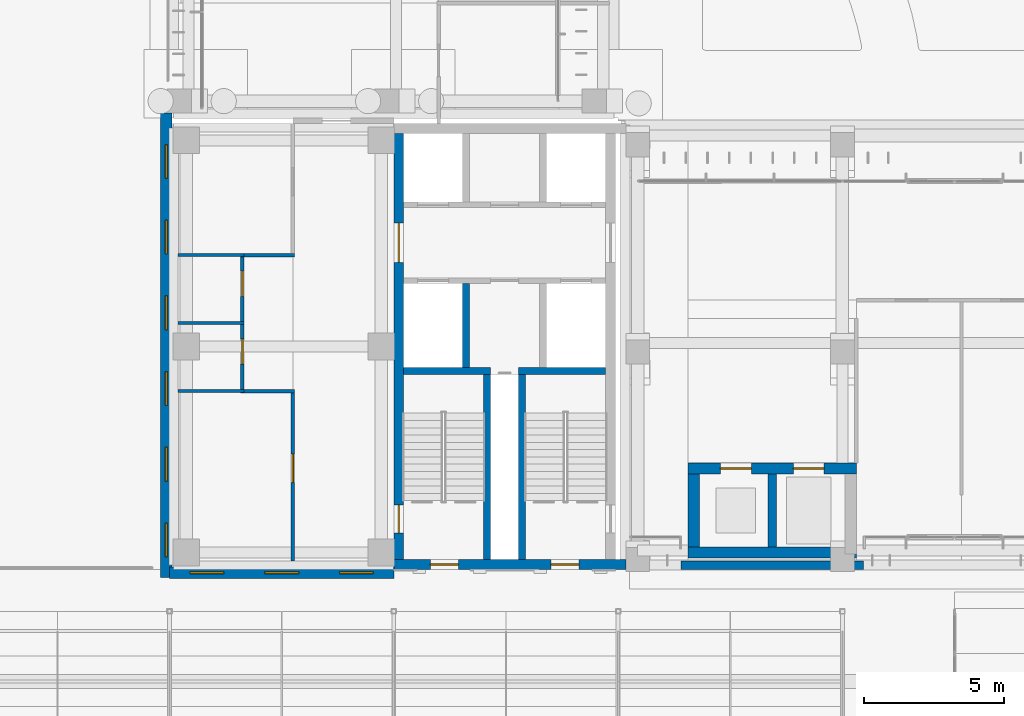
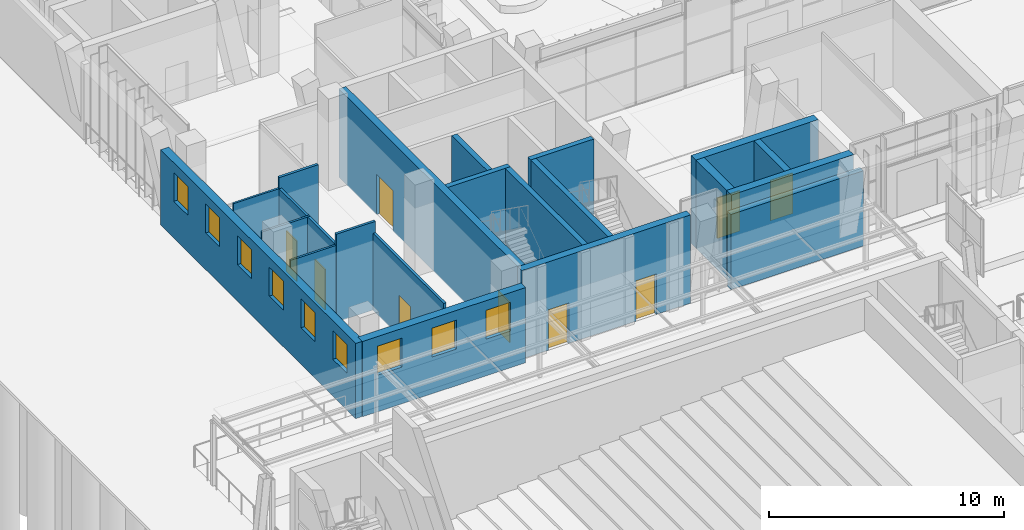
# One storey, part 103 of 144: 21 walls, 9 doors, 9 windows, 18 openings.
"""IFC4 building model written with IfcOpenShell, lengths in metres."""

from ifc_helpers import new_model, si_unit, direction, frame, frame_2d, origin, place, context, subcontext, project, spatial, rectangle, extrude, material, layer, layer_set, type_object, element, fill, save


model = new_model("IFC4")

# Units and contexts
model_context = context("Model", 3, precision=1e-05, world=origin(), true_north=direction((0.0, 1.0)))
body_context = subcontext(model_context, "Body", "Model", "MODEL_VIEW")
ifc_project = project(units=[si_unit("LENGTHUNIT", "METRE"), si_unit("AREAUNIT", "SQUARE_METRE"), si_unit("VOLUMEUNIT", "CUBIC_METRE"), si_unit("PLANEANGLEUNIT", "RADIAN"), si_unit("MASSUNIT", "GRAM", prefix="KILO")], contexts=[model_context])

# Site, building, storey
site_placement = place(None, origin())
site = spatial("IfcSite", under=ifc_project, at=site_placement, CompositionType="ELEMENT")
building_placement = place(site_placement, origin())
building = spatial("IfcBuilding", under=site, at=building_placement, Name="Lantern Court Media Centre", CompositionType="ELEMENT")
storey_placement = place(building_placement, origin())
storey = spatial("IfcBuildingStorey", under=building, at=storey_placement, Name="L00", CompositionType="ELEMENT", Elevation=0.0)

# Wall, opening, door
ifc_material_1 = material(Name="Gypsum board partition")
ifc_layer_1 = layer(ifc_material_1, 0.125)
ifc_layer_set_1 = layer_set([ifc_layer_1], Name="Gypsum board partition")
wall_type_1 = type_object("IfcWallType", Name="Corridor partition 125", PredefinedType="PARTITIONING", material=ifc_layer_set_1)
wall_1_placement = place(storey_placement, frame((12.39990234375, 48.300048828125, 0.0), z_axis=(0.0, 0.0, 1.0), x_axis=(0.0, 1.0, 0.0)))
wall_1 = element("IfcWall", 1, at=wall_1_placement, inside=storey, type_object=wall_type_1, Name="L00 partition 027", PredefinedType="PARTITIONING", context=body_context, shape_type="SweptSolid", body=[
    extrude(rectangle(XDim=5.99755859375, YDim=0.125, at=frame_2d((2.998779296875, 0.0))), origin(), (0.0, 0.0, 1.0), 3.97998046875),
])
opening_1_placement = place(wall_1_placement, frame((2.80517578125, 0.0, 0.0)))
opening_1 = element("IfcOpeningElement", 2, at=opening_1_placement, cuts=wall_1, Name="Opening L00-019", PredefinedType="OPENING", context=body_context, shape_type="SweptSolid", body=[
    extrude(rectangle(XDim=1.0, YDim=2.10009765625, at=frame_2d((0.5, 1.050048828125))), frame((0.0, 0.072509765625, 0.0), z_axis=(0.0, -1.0, 0.0), x_axis=(1.0, 0.0, 0.0)), (0.0, 0.0, 1.0), 0.14501953125),
])
ifc_material_2 = material(Name="Solid-core timber door leaf", Category="wood")
door_type_1 = type_object("IfcDoorType", Name="Single fire door 1000x2100", OperationType="NOTDEFINED", PredefinedType="DOOR", material=ifc_material_2)
door_1_placement = place(opening_1_placement, origin())
door_1 = element("IfcDoor", 3, at=door_1_placement, inside=storey, type_object=door_type_1, Name="L00 Fire Command Room door", OperationType="SINGLE_SWING_RIGHT", OverallHeight=2.10009765625, OverallWidth=1.0, PredefinedType="DOOR", context=body_context, shape_type="SweptSolid", body=[
    extrude(rectangle(XDim=1.0, YDim=2.10009765625, at=frame_2d((0.5, 1.050048828125))), frame((0.0, 0.02490234375, 0.0), z_axis=(0.0, -1.0, 0.0), x_axis=(1.0, 0.0, 0.0)), (0.0, 0.0, 1.0), 0.050048828125),
])
fill(opening_1, door_1)

# Walls
for number, where, z_axis, x_axis, name in (
    (4, (10.53759765625, 54.360107421875, 0.0), (0.0, 0.0, 1.0), (1.0, 0.0, 0.0), "L00 partition 031"),
    (5, (10.53759765625, 59.2080078125, 0.0), (0.0, 0.0, 1.0), (1.0, 0.0, 0.0), "L00 partition 033"),
):
    element("IfcWall", number, at=place(storey_placement, frame(where, z_axis=z_axis, x_axis=x_axis)), inside=storey, type_object=wall_type_1, Name=name, PredefinedType="PARTITIONING", context=body_context, shape_type="SweptSolid", body=[
        extrude(rectangle(XDim=1.9248046875, YDim=0.125, at=frame_2d((0.96240234375, 0.0))), origin(), (0.0, 0.0, 1.0), 4.56005859375),
    ])

# Wall, openings, doors
wall_2_placement = place(storey_placement, frame((10.60009765625, 54.422607421875, 0.0), z_axis=(0.0, 0.0, 1.0), x_axis=(0.0, 1.0, 0.0)))
wall_2 = element("IfcWall", 6, at=wall_2_placement, inside=storey, type_object=wall_type_1, Name="L00 partition 034", PredefinedType="PARTITIONING", context=body_context, shape_type="SweptSolid", body=[
    extrude(rectangle(XDim=4.72314453125, YDim=0.125, at=frame_2d((2.361572265625, 0.0))), origin(), (0.0, 0.0, 1.0), 3.97998046875),
])
opening_2_placement = place(wall_2_placement, frame((0.893798828125, 0.0, 0.0)))
opening_2 = element("IfcOpeningElement", 7, at=opening_2_placement, cuts=wall_2, Name="Opening L00-021", PredefinedType="OPENING", context=body_context, shape_type="SweptSolid", body=[
    extrude(rectangle(XDim=0.89990234375, YDim=2.10009765625, at=frame_2d((0.449951171875, 1.050048828125))), frame((0.0, 0.072509765625, 0.0), z_axis=(0.0, -1.0, 0.0), x_axis=(1.0, 0.0, 0.0)), (0.0, 0.0, 1.0), 0.14501953125),
])
opening_3_placement = place(wall_2_placement, frame((3.31787109375, 0.0, 0.0)))
opening_3 = element("IfcOpeningElement", 8, at=opening_3_placement, cuts=wall_2, Name="Opening L00-022", PredefinedType="OPENING", context=body_context, shape_type="SweptSolid", body=[
    extrude(rectangle(XDim=0.89990234375, YDim=2.10009765625, at=frame_2d((0.449951171875, 1.050048828125))), frame((0.0, 0.072509765625, 0.0), z_axis=(0.0, -1.0, 0.0), x_axis=(1.0, 0.0, 0.0)), (0.0, 0.0, 1.0), 0.14501953125),
])
door_type_2 = type_object("IfcDoorType", Name="Single door 900x2100", OperationType="NOTDEFINED", PredefinedType="DOOR", material=ifc_material_2)
door_2_placement = place(opening_2_placement, origin())
door_2 = element("IfcDoor", 9, at=door_2_placement, inside=storey, type_object=door_type_2, Name="L00 WC Male door", OperationType="SINGLE_SWING_RIGHT", OverallHeight=2.10009765625, OverallWidth=0.89990234375, PredefinedType="DOOR", context=body_context, shape_type="SweptSolid", body=[
    extrude(rectangle(XDim=0.89990234375, YDim=2.10009765625, at=frame_2d((0.449951171875, 1.050048828125))), frame((0.0, 0.02490234375, 0.0), z_axis=(0.0, -1.0, 0.0), x_axis=(1.0, 0.0, 0.0)), (0.0, 0.0, 1.0), 0.050048828125),
])
fill(opening_2, door_2)
door_3_placement = place(opening_3_placement, origin())
door_3 = element("IfcDoor", 10, at=door_3_placement, inside=storey, type_object=door_type_2, Name="L00 WC Female door", OperationType="SINGLE_SWING_LEFT", OverallHeight=2.10009765625, OverallWidth=0.89990234375, PredefinedType="DOOR", context=body_context, shape_type="SweptSolid", body=[
    extrude(rectangle(XDim=0.89990234375, YDim=2.10009765625, at=frame_2d((0.449951171875, 1.050048828125))), frame((0.0, 0.02490234375, 0.0), z_axis=(0.0, -1.0, 0.0), x_axis=(1.0, 0.0, 0.0)), (0.0, 0.0, 1.0), 0.050048828125),
])
fill(opening_3, door_3)

# Wall
ifc_material_3 = material(Name="Honed limestone cladding on blockwork", Category="masonry")
ifc_layer_2 = layer(ifc_material_3, 0.300048828125)
ifc_layer_set_2 = layer_set([ifc_layer_2], Name="Honed limestone cladding on blockwork")
wall_type_2 = type_object("IfcWallType", Name="Limestone flank wall 300", PredefinedType="SOLIDWALL", material=ifc_layer_set_2)
wall_3_placement = place(storey_placement, frame((26.25, 48.14990234375, 0.0), z_axis=(0.0, 0.0, 1.0), x_axis=(1.0, 0.0, 0.0)))
element("IfcWall", 11, at=wall_3_placement, inside=storey, type_object=wall_type_2, Name="Limestone flank wall S outer L00", PredefinedType="SOLIDWALL", context=body_context, shape_type="SweptSolid", body=[
    extrude(rectangle(XDim=6.5, YDim=0.300048828125, at=frame_2d((3.25, 0.0))), origin(), (0.0, 0.0, 1.0), 3.89990234375),
])

# Wall, openings, windows
ifc_layer_3 = layer(ifc_material_3, 0.39990234375)
ifc_layer_set_3 = layer_set([ifc_layer_3], Name="Honed limestone cladding on blockwork")
wall_type_3 = type_object("IfcWallType", Name="Limestone plinth wall 400", PredefinedType="SOLIDWALL", material=ifc_layer_set_3)
wall_4_placement = place(storey_placement, frame((7.8798828125, 47.699951171875, 0.0), z_axis=(0.0, 0.0, 1.0), x_axis=(0.0, 1.0, 0.0)))
wall_4 = element("IfcWall", 12, at=wall_4_placement, inside=storey, type_object=wall_type_3, Name="Limestone wall SW W L00", PredefinedType="SOLIDWALL", context=body_context, shape_type="SweptSolid", body=[
    extrude(rectangle(XDim=16.574951171875, YDim=0.39990234375, at=frame_2d((8.28759765625, 0.0))), origin(), (0.0, 0.0, 1.0), 3.89990234375),
])
opening_4_placement = place(wall_4_placement, frame((0.75, 0.0, 1.89990234375)))
opening_4 = element("IfcOpeningElement", 13, at=opening_4_placement, cuts=wall_4, Name="Opening WN-C", PredefinedType="OPENING", context=body_context, shape_type="SweptSolid", body=[
    extrude(rectangle(XDim=1.199951171875, YDim=1.5, at=frame_2d((0.60009765625, 0.75))), frame((0.0, 0.2099609375, 0.0), z_axis=(0.0, -1.0, 0.0), x_axis=(1.0, 0.0, 0.0)), (0.0, 0.0, 1.0), 0.419921875),
])
opening_5_placement = place(wall_4_placement, frame((3.449951171875, 0.0, 1.89990234375)))
opening_5 = element("IfcOpeningElement", 14, at=opening_5_placement, cuts=wall_4, Name="Opening WN-C", PredefinedType="OPENING", context=body_context, shape_type="SweptSolid", body=[
    extrude(rectangle(XDim=1.199951171875, YDim=1.5, at=frame_2d((0.60009765625, 0.75))), frame((0.0, 0.2099609375, 0.0), z_axis=(0.0, -1.0, 0.0), x_axis=(1.0, 0.0, 0.0)), (0.0, 0.0, 1.0), 0.419921875),
])
opening_6_placement = place(wall_4_placement, frame((6.14990234375, 0.0, 1.89990234375)))
opening_6 = element("IfcOpeningElement", 15, at=opening_6_placement, cuts=wall_4, Name="Opening WN-C", PredefinedType="OPENING", context=body_context, shape_type="SweptSolid", body=[
    extrude(rectangle(XDim=1.199951171875, YDim=1.5, at=frame_2d((0.60009765625, 0.75))), frame((0.0, 0.2099609375, 0.0), z_axis=(0.0, -1.0, 0.0), x_axis=(1.0, 0.0, 0.0)), (0.0, 0.0, 1.0), 0.419921875),
])
opening_7_placement = place(wall_4_placement, frame((8.85009765625, 0.0, 1.89990234375)))
opening_7 = element("IfcOpeningElement", 16, at=opening_7_placement, cuts=wall_4, Name="Opening WN-C", PredefinedType="OPENING", context=body_context, shape_type="SweptSolid", body=[
    extrude(rectangle(XDim=1.199951171875, YDim=1.5, at=frame_2d((0.60009765625, 0.75))), frame((0.0, 0.2099609375, 0.0), z_axis=(0.0, -1.0, 0.0), x_axis=(1.0, 0.0, 0.0)), (0.0, 0.0, 1.0), 0.419921875),
])
opening_8_placement = place(wall_4_placement, frame((11.550048828125, 0.0, 1.89990234375)))
opening_8 = element("IfcOpeningElement", 17, at=opening_8_placement, cuts=wall_4, Name="Opening WN-C", PredefinedType="OPENING", context=body_context, shape_type="SweptSolid", body=[
    extrude(rectangle(XDim=1.199951171875, YDim=1.5, at=frame_2d((0.60009765625, 0.75))), frame((0.0, 0.2099609375, 0.0), z_axis=(0.0, -1.0, 0.0), x_axis=(1.0, 0.0, 0.0)), (0.0, 0.0, 1.0), 0.419921875),
])
opening_9_placement = place(wall_4_placement, frame((14.25, 0.0, 1.89990234375)))
opening_9 = element("IfcOpeningElement", 18, at=opening_9_placement, cuts=wall_4, Name="Opening WN-C", PredefinedType="OPENING", context=body_context, shape_type="SweptSolid", body=[
    extrude(rectangle(XDim=1.199951171875, YDim=1.5, at=frame_2d((0.60009765625, 0.75))), frame((0.0, 0.2099609375, 0.0), z_axis=(0.0, -1.0, 0.0), x_axis=(1.0, 0.0, 0.0)), (0.0, 0.0, 1.0), 0.419921875),
])
ifc_material_4 = material(Name="Anodised aluminium and glass", Category="aluminium")
window_type = type_object("IfcWindowType", Name="Clerestory window 1200x1500", PartitioningType="SINGLE_PANEL", PredefinedType="WINDOW", material=ifc_material_4)
window_1_placement = place(opening_4_placement, origin())
window_1 = element("IfcWindow", 19, at=window_1_placement, inside=storey, type_object=window_type, Name="Window SW W L00", OverallHeight=1.5, OverallWidth=1.199951171875, PartitioningType="SINGLE_PANEL", PredefinedType="WINDOW", context=body_context, shape_type="SweptSolid", body=[
    extrude(rectangle(XDim=1.199951171875, YDim=1.5, at=frame_2d((0.60009765625, 0.75))), frame((0.0, 0.030029296875, 0.0), z_axis=(0.0, -1.0, 0.0), x_axis=(1.0, 0.0, 0.0)), (0.0, 0.0, 1.0), 0.06005859375),
])
fill(opening_4, window_1)
window_2_placement = place(opening_5_placement, origin())
window_2 = element("IfcWindow", 20, at=window_2_placement, inside=storey, type_object=window_type, Name="Window SW W L00", OverallHeight=1.5, OverallWidth=1.199951171875, PartitioningType="SINGLE_PANEL", PredefinedType="WINDOW", context=body_context, shape_type="SweptSolid", body=[
    extrude(rectangle(XDim=1.199951171875, YDim=1.5, at=frame_2d((0.60009765625, 0.75))), frame((0.0, 0.030029296875, 0.0), z_axis=(0.0, -1.0, 0.0), x_axis=(1.0, 0.0, 0.0)), (0.0, 0.0, 1.0), 0.06005859375),
])
fill(opening_5, window_2)
window_3_placement = place(opening_6_placement, origin())
window_3 = element("IfcWindow", 21, at=window_3_placement, inside=storey, type_object=window_type, Name="Window SW W L00", OverallHeight=1.5, OverallWidth=1.199951171875, PartitioningType="SINGLE_PANEL", PredefinedType="WINDOW", context=body_context, shape_type="SweptSolid", body=[
    extrude(rectangle(XDim=1.199951171875, YDim=1.5, at=frame_2d((0.60009765625, 0.75))), frame((0.0, 0.030029296875, 0.0), z_axis=(0.0, -1.0, 0.0), x_axis=(1.0, 0.0, 0.0)), (0.0, 0.0, 1.0), 0.06005859375),
])
fill(opening_6, window_3)
window_4_placement = place(opening_7_placement, origin())
window_4 = element("IfcWindow", 22, at=window_4_placement, inside=storey, type_object=window_type, Name="Window SW W L00", OverallHeight=1.5, OverallWidth=1.199951171875, PartitioningType="SINGLE_PANEL", PredefinedType="WINDOW", context=body_context, shape_type="SweptSolid", body=[
    extrude(rectangle(XDim=1.199951171875, YDim=1.5, at=frame_2d((0.60009765625, 0.75))), frame((0.0, 0.030029296875, 0.0), z_axis=(0.0, -1.0, 0.0), x_axis=(1.0, 0.0, 0.0)), (0.0, 0.0, 1.0), 0.06005859375),
])
fill(opening_7, window_4)
window_5_placement = place(opening_8_placement, origin())
window_5 = element("IfcWindow", 23, at=window_5_placement, inside=storey, type_object=window_type, Name="Window SW W L00", OverallHeight=1.5, OverallWidth=1.199951171875, PartitioningType="SINGLE_PANEL", PredefinedType="WINDOW", context=body_context, shape_type="SweptSolid", body=[
    extrude(rectangle(XDim=1.199951171875, YDim=1.5, at=frame_2d((0.60009765625, 0.75))), frame((0.0, 0.030029296875, 0.0), z_axis=(0.0, -1.0, 0.0), x_axis=(1.0, 0.0, 0.0)), (0.0, 0.0, 1.0), 0.06005859375),
])
fill(opening_8, window_5)
window_6_placement = place(opening_9_placement, origin())
window_6 = element("IfcWindow", 24, at=window_6_placement, inside=storey, type_object=window_type, Name="Window SW W L00", OverallHeight=1.5, OverallWidth=1.199951171875, PartitioningType="SINGLE_PANEL", PredefinedType="WINDOW", context=body_context, shape_type="SweptSolid", body=[
    extrude(rectangle(XDim=1.199951171875, YDim=1.5, at=frame_2d((0.60009765625, 0.75))), frame((0.0, 0.030029296875, 0.0), z_axis=(0.0, -1.0, 0.0), x_axis=(1.0, 0.0, 0.0)), (0.0, 0.0, 1.0), 0.06005859375),
])
fill(opening_9, window_6)

wall_5_placement = place(storey_placement, frame((8.0, 47.8798828125, 0.0), z_axis=(0.0, 0.0, 1.0), x_axis=(1.0, 0.0, 0.0)))
wall_5 = element("IfcWall", 25, at=wall_5_placement, inside=storey, type_object=wall_type_3, Name="Limestone wall SW S L00", PredefinedType="SOLIDWALL", context=body_context, shape_type="SweptSolid", body=[
    extrude(rectangle(XDim=8.0, YDim=0.39990234375, at=frame_2d((4.0, 0.0))), origin(), (0.0, 0.0, 1.0), 3.89990234375),
])
opening_10_placement = place(wall_5_placement, frame((0.7333984375, 0.0, 1.89990234375)))
opening_10 = element("IfcOpeningElement", 26, at=opening_10_placement, cuts=wall_5, Name="Opening WN-C", PredefinedType="OPENING", context=body_context, shape_type="SweptSolid", body=[
    extrude(rectangle(XDim=1.199951171875, YDim=1.5, at=frame_2d((0.60009765625, 0.75))), frame((0.0, 0.2099609375, 0.0), z_axis=(0.0, -1.0, 0.0), x_axis=(1.0, 0.0, 0.0)), (0.0, 0.0, 1.0), 0.419921875),
])
opening_11_placement = place(wall_5_placement, frame((3.39990234375, 0.0, 1.89990234375)))
opening_11 = element("IfcOpeningElement", 27, at=opening_11_placement, cuts=wall_5, Name="Opening WN-C", PredefinedType="OPENING", context=body_context, shape_type="SweptSolid", body=[
    extrude(rectangle(XDim=1.199951171875, YDim=1.5, at=frame_2d((0.60009765625, 0.75))), frame((0.0, 0.2099609375, 0.0), z_axis=(0.0, -1.0, 0.0), x_axis=(1.0, 0.0, 0.0)), (0.0, 0.0, 1.0), 0.419921875),
])
opening_12_placement = place(wall_5_placement, frame((6.066650390625, 0.0, 1.89990234375)))
opening_12 = element("IfcOpeningElement", 28, at=opening_12_placement, cuts=wall_5, Name="Opening WN-C", PredefinedType="OPENING", context=body_context, shape_type="SweptSolid", body=[
    extrude(rectangle(XDim=1.199951171875, YDim=1.5, at=frame_2d((0.60009765625, 0.75))), frame((0.0, 0.2099609375, 0.0), z_axis=(0.0, -1.0, 0.0), x_axis=(1.0, 0.0, 0.0)), (0.0, 0.0, 1.0), 0.419921875),
])
window_7_placement = place(opening_10_placement, origin())
window_7 = element("IfcWindow", 29, at=window_7_placement, inside=storey, type_object=window_type, Name="Window SW S L00", OverallHeight=1.5, OverallWidth=1.199951171875, PartitioningType="SINGLE_PANEL", PredefinedType="WINDOW", context=body_context, shape_type="SweptSolid", body=[
    extrude(rectangle(XDim=1.199951171875, YDim=1.5, at=frame_2d((0.60009765625, 0.75))), frame((0.0, 0.030029296875, 0.0), z_axis=(0.0, -1.0, 0.0), x_axis=(1.0, 0.0, 0.0)), (0.0, 0.0, 1.0), 0.06005859375),
])
fill(opening_10, window_7)
window_8_placement = place(opening_11_placement, origin())
window_8 = element("IfcWindow", 30, at=window_8_placement, inside=storey, type_object=window_type, Name="Window SW S L00", OverallHeight=1.5, OverallWidth=1.199951171875, PartitioningType="SINGLE_PANEL", PredefinedType="WINDOW", context=body_context, shape_type="SweptSolid", body=[
    extrude(rectangle(XDim=1.199951171875, YDim=1.5, at=frame_2d((0.60009765625, 0.75))), frame((0.0, 0.030029296875, 0.0), z_axis=(0.0, -1.0, 0.0), x_axis=(1.0, 0.0, 0.0)), (0.0, 0.0, 1.0), 0.06005859375),
])
fill(opening_11, window_8)
window_9_placement = place(opening_12_placement, origin())
window_9 = element("IfcWindow", 31, at=window_9_placement, inside=storey, type_object=window_type, Name="Window SW S L00", OverallHeight=1.5, OverallWidth=1.199951171875, PartitioningType="SINGLE_PANEL", PredefinedType="WINDOW", context=body_context, shape_type="SweptSolid", body=[
    extrude(rectangle(XDim=1.199951171875, YDim=1.5, at=frame_2d((0.60009765625, 0.75))), frame((0.0, 0.030029296875, 0.0), z_axis=(0.0, -1.0, 0.0), x_axis=(1.0, 0.0, 0.0)), (0.0, 0.0, 1.0), 0.06005859375),
])
fill(opening_12, window_9)

# Walls
ifc_layer_4 = layer(ifc_material_1, 0.10009765625)
ifc_layer_set_4 = layer_set([ifc_layer_4], Name="Gypsum board partition")
wall_type_4 = type_object("IfcWallType", Name="Partition 100", PredefinedType="PARTITIONING", material=ifc_layer_set_4)
for number, where, z_axis, x_axis, name in (
    (32, (8.300048828125, 54.360107421875, 0.0), (0.0, 0.0, 1.0), (1.0, 0.0, 0.0), "L00 partition 030"),
    (33, (8.300048828125, 59.2080078125, 0.0), (0.0, 0.0, 1.0), (1.0, 0.0, 0.0), "L00 partition 032"),
    (34, (8.300048828125, 56.783935546875, 0.0), (0.0, 0.0, 1.0), (1.0, 0.0, 0.0), "L00 partition 036"),
):
    element("IfcWall", number, at=place(storey_placement, frame(where, z_axis=z_axis, x_axis=x_axis)), inside=storey, type_object=wall_type_4, Name=name, PredefinedType="PARTITIONING", context=body_context, shape_type="SweptSolid", body=[
        extrude(rectangle(XDim=2.362548828125, YDim=0.10009765625, at=frame_2d((1.18115234375, 0.0))), origin(), (0.0, 0.0, 1.0), 3.97998046875),
    ])

# Wall, openings, doors
ifc_material_5 = material(Name="Concrete C40", Category="concrete")
ifc_layer_5 = layer(ifc_material_5, 0.35009765625)
ifc_layer_set_5 = layer_set([ifc_layer_5], Name="Concrete C40")
wall_type_5 = type_object("IfcWallType", Name="RC CORE WALL 350", PredefinedType="SHEAR", material=ifc_layer_set_5)
wall_6_placement = place(storey_placement, frame((16.0, 48.175048828125, 0.0), z_axis=(0.0, 0.0, 1.0), x_axis=(1.0, 0.0, 0.0)))
wall_6 = element("IfcWall", 35, at=wall_6_placement, inside=storey, type_object=wall_type_5, Name="WC-SW-L00-S", PredefinedType="SHEAR", context=body_context, shape_type="SweptSolid", body=[
    extrude(rectangle(XDim=8.27490234375, YDim=0.35009765625, at=frame_2d((4.137451171875, 0.0))), origin(), (0.0, 0.0, 1.0), 4.580078125),
])
opening_13_placement = place(wall_6_placement, frame((1.300048828125, 0.0, 0.0)))
opening_13 = element("IfcOpeningElement", 36, at=opening_13_placement, cuts=wall_6, Name="Opening SW-L00-03", PredefinedType="OPENING", context=body_context, shape_type="SweptSolid", body=[
    extrude(rectangle(XDim=1.0, YDim=2.10009765625, at=frame_2d((0.5, 1.050048828125))), frame((0.0, 0.18505859375, 0.0), z_axis=(0.0, -1.0, 0.0), x_axis=(1.0, 0.0, 0.0)), (0.0, 0.0, 1.0), 0.3701171875),
])
opening_14_placement = place(wall_6_placement, frame((5.60009765625, 0.0, 0.0)))
opening_14 = element("IfcOpeningElement", 37, at=opening_14_placement, cuts=wall_6, Name="Opening SW-L00-04", PredefinedType="OPENING", context=body_context, shape_type="SweptSolid", body=[
    extrude(rectangle(XDim=1.0, YDim=2.10009765625, at=frame_2d((0.5, 1.050048828125))), frame((0.0, 0.18505859375, 0.0), z_axis=(0.0, -1.0, 0.0), x_axis=(1.0, 0.0, 0.0)), (0.0, 0.0, 1.0), 0.3701171875),
])
ifc_material_6 = material(Name="Steel door leaf", Category="steel")
door_type_3 = type_object("IfcDoorType", Name="Stair exit door 1000x2100", OperationType="NOTDEFINED", PredefinedType="DOOR", material=ifc_material_6)
door_4_placement = place(opening_13_placement, frame((1.0, 0.0, 0.0), z_axis=(0.0, 0.0, 1.0), x_axis=(-1.0, 0.0, 0.0)))
door_4 = element("IfcDoor", 38, at=door_4_placement, inside=storey, type_object=door_type_3, Name="L00 SW stair A exit door", OperationType="SINGLE_SWING_RIGHT", OverallHeight=2.10009765625, OverallWidth=1.0, PredefinedType="DOOR", context=body_context, shape_type="SweptSolid", body=[
    extrude(rectangle(XDim=1.0, YDim=2.10009765625, at=frame_2d((0.5, 1.050048828125))), frame((0.0, 0.02490234375, 0.0), z_axis=(0.0, -1.0, 0.0), x_axis=(1.0, 0.0, 0.0)), (0.0, 0.0, 1.0), 0.050048828125),
])
fill(opening_13, door_4)
door_5_placement = place(opening_14_placement, frame((1.0, 0.0, 0.0), z_axis=(0.0, 0.0, 1.0), x_axis=(-1.0, 0.0, 0.0)))
door_5 = element("IfcDoor", 39, at=door_5_placement, inside=storey, type_object=door_type_3, Name="L00 SW stair B exit door", OperationType="SINGLE_SWING_LEFT", OverallHeight=2.10009765625, OverallWidth=1.0, PredefinedType="DOOR", context=body_context, shape_type="SweptSolid", body=[
    extrude(rectangle(XDim=1.0, YDim=2.10009765625, at=frame_2d((0.5, 1.050048828125))), frame((0.0, 0.02490234375, 0.0), z_axis=(0.0, -1.0, 0.0), x_axis=(1.0, 0.0, 0.0)), (0.0, 0.0, 1.0), 0.050048828125),
])
fill(opening_14, door_5)

wall_7_placement = place(storey_placement, frame((16.175048828125, 48.35009765625, 0.0), z_axis=(0.0, 0.0, 1.0), x_axis=(0.0, 1.0, 0.0)))
wall_7 = element("IfcWall", 40, at=wall_7_placement, inside=storey, type_object=wall_type_5, Name="WC-SW-L00-W", PredefinedType="SHEAR", context=body_context, shape_type="SweptSolid", body=[
    extrude(rectangle(XDim=15.199951171875, YDim=0.35009765625, at=frame_2d((7.60009765625, 0.0))), origin(), (0.0, 0.0, 1.0), 4.580078125),
])
opening_15_placement = place(wall_7_placement, frame((0.949951171875, 0.0, 0.0)))
opening_15 = element("IfcOpeningElement", 41, at=opening_15_placement, cuts=wall_7, Name="Opening SW-L00-01", PredefinedType="OPENING", context=body_context, shape_type="SweptSolid", body=[
    extrude(rectangle(XDim=1.0, YDim=2.10009765625, at=frame_2d((0.5, 1.050048828125))), frame((0.0, 0.18505859375, 0.0), z_axis=(0.0, -1.0, 0.0), x_axis=(1.0, 0.0, 0.0)), (0.0, 0.0, 1.0), 0.3701171875),
])
opening_16_placement = place(wall_7_placement, frame((10.60009765625, 0.0, 0.0)))
opening_16 = element("IfcOpeningElement", 42, at=opening_16_placement, cuts=wall_7, Name="Opening SW-L00-07", PredefinedType="OPENING", context=body_context, shape_type="SweptSolid", body=[
    extrude(rectangle(XDim=1.39990234375, YDim=2.10009765625, at=frame_2d((0.699951171875, 1.050048828125))), frame((0.0, 0.18505859375, 0.0), z_axis=(0.0, -1.0, 0.0), x_axis=(1.0, 0.0, 0.0)), (0.0, 0.0, 1.0), 0.3701171875),
])
door_type_4 = type_object("IfcDoorType", Name="Lift lobby double door 1400x2100", OperationType="NOTDEFINED", PredefinedType="DOOR", material=ifc_material_6)
door_6_placement = place(opening_16_placement, origin())
door_6 = element("IfcDoor", 43, at=door_6_placement, inside=storey, type_object=door_type_4, Name="L00 SW lift lobby west door", OperationType="SINGLE_SWING_LEFT", OverallHeight=2.10009765625, OverallWidth=1.39990234375, PredefinedType="DOOR", context=body_context, shape_type="SweptSolid", body=[
    extrude(rectangle(XDim=1.39990234375, YDim=2.10009765625, at=frame_2d((0.699951171875, 1.050048828125))), frame((0.0, 0.02490234375, 0.0), z_axis=(0.0, -1.0, 0.0), x_axis=(1.0, 0.0, 0.0)), (0.0, 0.0, 1.0), 0.050048828125),
])
fill(opening_16, door_6)
door_type_5 = type_object("IfcDoorType", Name="Stair door 1000x2100", OperationType="NOTDEFINED", PredefinedType="DOOR", material=ifc_material_6)
door_7_placement = place(opening_15_placement, origin())
door_7 = element("IfcDoor", 44, at=door_7_placement, inside=storey, type_object=door_type_5, Name="L00 SW stair A door", OperationType="SINGLE_SWING_LEFT", OverallHeight=2.10009765625, OverallWidth=1.0, PredefinedType="DOOR", context=body_context, shape_type="SweptSolid", body=[
    extrude(rectangle(XDim=1.0, YDim=2.10009765625, at=frame_2d((0.5, 1.050048828125))), frame((0.0, 0.02490234375, 0.0), z_axis=(0.0, -1.0, 0.0), x_axis=(1.0, 0.0, 0.0)), (0.0, 0.0, 1.0), 0.050048828125),
])
fill(opening_15, door_7)

# Walls
ifc_layer_6 = layer(ifc_material_5, 0.300048828125)
ifc_layer_set_6 = layer_set([ifc_layer_6], Name="Concrete C40")
wall_type_6 = type_object("IfcWallType", Name="RC SHEAR WALL 300", PredefinedType="SHEAR", material=ifc_layer_set_6)
wall_8_placement = place(storey_placement, frame((29.5, 48.800048828125, 0.0), z_axis=(0.0, 0.0, 1.0), x_axis=(0.0, 1.0, 0.0)))
element("IfcWall", 45, at=wall_8_placement, inside=storey, type_object=wall_type_6, Name="WB-S-LC1-L00-D", PredefinedType="SHEAR", context=body_context, shape_type="SweptSolid", body=[
    extrude(rectangle(XDim=2.599853515625, YDim=0.300048828125, at=frame_2d((1.2998046875, 0.0))), origin(), (0.0, 0.0, 1.0), 4.580078125),
])
ifc_layer_7 = layer(ifc_material_5, 0.39990234375)
ifc_layer_set_7 = layer_set([ifc_layer_7], Name="Concrete C40")
wall_type_7 = type_object("IfcWallType", Name="RC SHEAR WALL 400", PredefinedType="SHEAR", material=ifc_layer_set_7)
wall_9_placement = place(storey_placement, frame((26.5, 48.60009765625, 0.0), z_axis=(0.0, 0.0, 1.0), x_axis=(1.0, 0.0, 0.0)))
element("IfcWall", 46, at=wall_9_placement, inside=storey, type_object=wall_type_7, Name="WB-S-LC1-L00-S", PredefinedType="SHEAR", context=body_context, shape_type="SweptSolid", body=[
    extrude(rectangle(XDim=6.0, YDim=0.39990234375, at=frame_2d((3.0, 0.0))), origin(), (0.0, 0.0, 1.0), 4.580078125),
])

# Wall, openings, doors
wall_10_placement = place(storey_placement, frame((26.5, 51.60009765625, 0.0), z_axis=(0.0, 0.0, 1.0), x_axis=(1.0, 0.0, 0.0)))
wall_10 = element("IfcWall", 47, at=wall_10_placement, inside=storey, type_object=wall_type_7, Name="WB-S-LC1-L00-N", PredefinedType="SHEAR", context=body_context, shape_type="SweptSolid", body=[
    extrude(rectangle(XDim=6.0, YDim=0.39990234375, at=frame_2d((3.0, 0.0))), origin(), (0.0, 0.0, 1.0), 4.580078125),
])
opening_17_placement = place(wall_10_placement, frame((1.14990234375, 0.0, 0.0)))
opening_17 = element("IfcOpeningElement", 48, at=opening_17_placement, cuts=wall_10, Name="Opening LD-S-LC1P-L00", PredefinedType="OPENING", context=body_context, shape_type="SweptSolid", body=[
    extrude(rectangle(XDim=1.10009765625, YDim=2.10009765625, at=frame_2d((0.550048828125, 1.050048828125))), frame((0.0, 0.2099609375, 0.0), z_axis=(0.0, -1.0, 0.0), x_axis=(1.0, 0.0, 0.0)), (0.0, 0.0, 1.0), 0.419921875),
])
opening_18_placement = place(wall_10_placement, frame((3.75, 0.0, 0.0)))
opening_18 = element("IfcOpeningElement", 49, at=opening_18_placement, cuts=wall_10, Name="Opening LD-S-LC1S-L00", PredefinedType="OPENING", context=body_context, shape_type="SweptSolid", body=[
    extrude(rectangle(XDim=1.10009765625, YDim=2.10009765625, at=frame_2d((0.550048828125, 1.050048828125))), frame((0.0, 0.2099609375, 0.0), z_axis=(0.0, -1.0, 0.0), x_axis=(1.0, 0.0, 0.0)), (0.0, 0.0, 1.0), 0.419921875),
])
door_type_6 = type_object("IfcDoorType", Name="Lift landing door 1100x2100", OperationType="DOUBLE_DOOR_SLIDING", PredefinedType="DOOR", material=ifc_material_6)
door_8_placement = place(opening_17_placement, origin())
door_8 = element("IfcDoor", 50, at=door_8_placement, inside=storey, type_object=door_type_6, Name="L00 S-LC1 passenger lift landing door", OperationType="DOUBLE_DOOR_SLIDING", OverallHeight=2.10009765625, OverallWidth=1.10009765625, PredefinedType="DOOR", context=body_context, shape_type="SweptSolid", body=[
    extrude(rectangle(XDim=1.10009765625, YDim=2.10009765625, at=frame_2d((0.550048828125, 1.050048828125))), frame((0.0, 0.02490234375, 0.0), z_axis=(0.0, -1.0, 0.0), x_axis=(1.0, 0.0, 0.0)), (0.0, 0.0, 1.0), 0.050048828125),
])
fill(opening_17, door_8)
door_9_placement = place(opening_18_placement, origin())
door_9 = element("IfcDoor", 51, at=door_9_placement, inside=storey, type_object=door_type_6, Name="L00 S-LC1 service lift landing door", OperationType="DOUBLE_DOOR_SLIDING", OverallHeight=2.10009765625, OverallWidth=1.10009765625, PredefinedType="DOOR", context=body_context, shape_type="SweptSolid", body=[
    extrude(rectangle(XDim=1.10009765625, YDim=2.10009765625, at=frame_2d((0.550048828125, 1.050048828125))), frame((0.0, 0.02490234375, 0.0), z_axis=(0.0, -1.0, 0.0), x_axis=(1.0, 0.0, 0.0)), (0.0, 0.0, 1.0), 0.050048828125),
])
fill(opening_18, door_9)

# Walls
wall_11_placement = place(storey_placement, frame((26.699951171875, 48.800048828125, 0.0), z_axis=(0.0, 0.0, 1.0), x_axis=(0.0, 1.0, 0.0)))
element("IfcWall", 52, at=wall_11_placement, inside=storey, type_object=wall_type_7, Name="WB-S-LC1-L00-W", PredefinedType="SHEAR", context=body_context, shape_type="SweptSolid", body=[
    extrude(rectangle(XDim=2.599853515625, YDim=0.39990234375, at=frame_2d((1.2998046875, 0.0))), origin(), (0.0, 0.0, 1.0), 4.580078125),
])
ifc_layer_8 = layer(ifc_material_5, 0.25)
ifc_layer_set_8 = layer_set([ifc_layer_8], Name="Concrete C40")
wall_type_8 = type_object("IfcWallType", Name="RC lift shaft wall 250", PredefinedType="SOLIDWALL", material=ifc_layer_set_8)
wall_12_placement = place(storey_placement, frame((18.574951171875, 55.199951171875, 0.0), z_axis=(0.0, 0.0, 1.0), x_axis=(0.0, 1.0, 0.0)))
element("IfcWall", 53, at=wall_12_placement, inside=storey, type_object=wall_type_8, Name="L00 SW L1a", PredefinedType="SOLIDWALL", context=body_context, shape_type="SweptSolid", body=[
    extrude(rectangle(XDim=3.0, YDim=0.25, at=frame_2d((1.5, 0.0))), origin(), (0.0, 0.0, 1.0), 4.550048828125),
])
ifc_layer_9 = layer(ifc_material_5, 0.25)
ifc_layer_set_9 = layer_set([ifc_layer_9], Name="Concrete C40")
wall_type_9 = type_object("IfcWallType", Name="RC stair shaft wall 250", PredefinedType="SOLIDWALL", material=ifc_layer_set_9)
for number, where, z_axis, x_axis, name in (
    (54, (19.324951171875, 48.35009765625, 0.0), (0.0, 0.0, 1.0), (0.0, 1.0, 0.0), "L00 SW SA"),
    (55, (20.574951171875, 48.35009765625, 0.0), (0.0, 0.0, 1.0), (0.0, 1.0, 0.0), "L00 SW SB"),
):
    element("IfcWall", number, at=place(storey_placement, frame(where, z_axis=z_axis, x_axis=x_axis)), inside=storey, type_object=wall_type_9, Name=name, PredefinedType="SOLIDWALL", context=body_context, shape_type="SweptSolid", body=[
        extrude(rectangle(XDim=6.599853515625, YDim=0.25, at=frame_2d((3.2998046875, 0.0))), origin(), (0.0, 0.0, 1.0), 4.550048828125),
    ])
wall_13_placement = place(storey_placement, frame((16.35009765625, 55.074951171875, 0.0), z_axis=(0.0, 0.0, 1.0), x_axis=(1.0, 0.0, 0.0)))
element("IfcWall", 56, at=wall_13_placement, inside=storey, type_object=wall_type_9, Name="L00 SW SN1", PredefinedType="SOLIDWALL", context=body_context, shape_type="SweptSolid", body=[
    extrude(rectangle(XDim=3.099853515625, YDim=0.25, at=frame_2d((1.5498046875, 0.0))), origin(), (0.0, 0.0, 1.0), 4.550048828125),
])
wall_14_placement = place(storey_placement, frame((20.449951171875, 55.074951171875, 0.0), z_axis=(0.0, 0.0, 1.0), x_axis=(1.0, 0.0, 0.0)))
element("IfcWall", 57, at=wall_14_placement, inside=storey, type_object=wall_type_9, Name="L00 SW SN2", PredefinedType="SOLIDWALL", context=body_context, shape_type="SweptSolid", body=[
    extrude(rectangle(XDim=3.10009765625, YDim=0.25, at=frame_2d((1.550048828125, 0.0))), origin(), (0.0, 0.0, 1.0), 4.550048828125),
])

save(model, "model.ifc")
